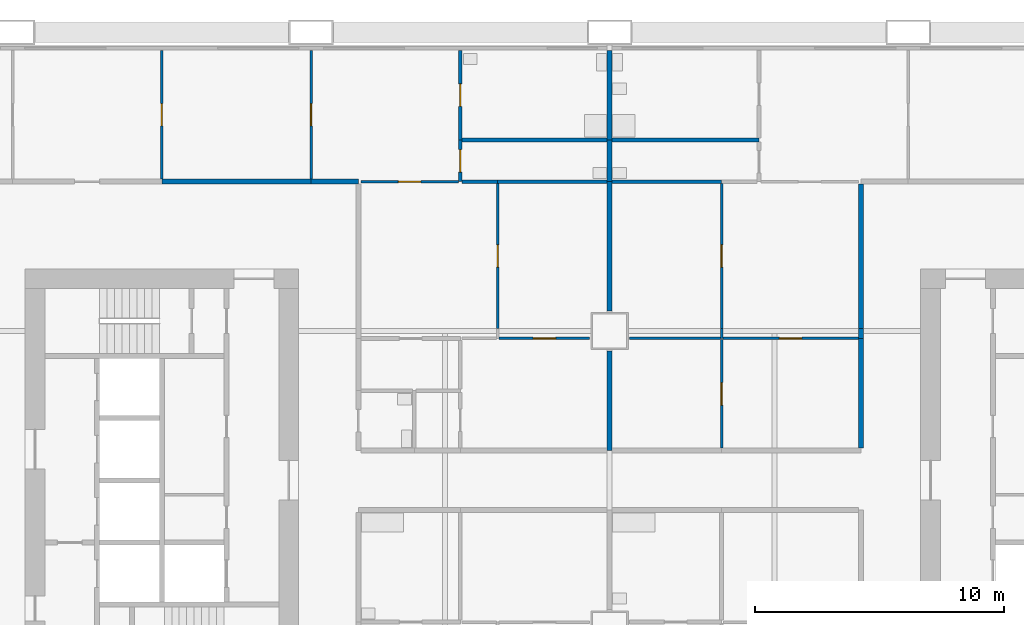
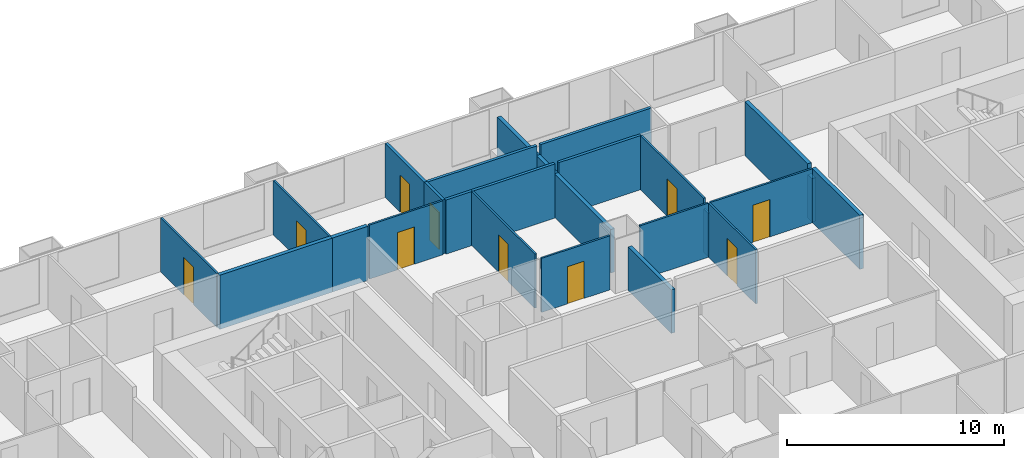
# One storey, part 8 of 13: 26 walls, 10 doors, 10 openings.
"""IFC4 building model written with IfcOpenShell, lengths in metres."""

import ifcopenshell
import ifcopenshell.guid

model = None  # the IFC model being written
_history = None  # IfcOwnerHistory: only IFC2X3 demands one
_inside = {}  # id of a spatial element -> (the spatial element, [elements in it])
_under = {}  # id of a project, library or spatial element -> (it, [spatial elements below it])
_declared = {}  # id of a project -> (the project, [libraries it declares])
_typed = {}  # id of a type object -> (the type object, [elements of that type])
_made_of = {}  # id of a material, layer set ... -> (it, [elements and type objects made of it])


def new_model(schema):
    """Start an empty IFC model of exactly this schema.

    Asked for "IFC4X3", IfcOpenShell would pick the latest addendum, in which some entities
    have other attributes; the version numbers below select the first issue.
    IFC2X3 requires an IfcOwnerHistory on every rooted entity: one is made here for all.
    """
    global model, _history
    if schema == "IFC4X3":
        model = ifcopenshell.file(schema_version=(4, 3, 0, 0))
    else:
        model = ifcopenshell.file(schema=schema)
    _inside.clear()
    _under.clear()
    _declared.clear()
    _typed.clear()
    _made_of.clear()
    _history = None
    if model.schema == "IFC2X3":
        org = make("IfcOrganization", Name="unknown")
        user = make(
            "IfcPersonAndOrganization",
            ThePerson=make("IfcPerson", FamilyName="unknown"),
            TheOrganization=org,
        )
        app = make(
            "IfcApplication",
            ApplicationDeveloper=org,
            Version="unknown",
            ApplicationFullName="unknown",
            ApplicationIdentifier="unknown",
        )
        _history = make(
            "IfcOwnerHistory",
            OwningUser=user,
            OwningApplication=app,
            ChangeAction="ADDED",
            CreationDate=0,
        )
    return model


def make(cls, **values):
    """One entity of the class cls with the attributes given. An attribute that is None is left unset."""
    return model.create_entity(
        cls, **{name: value for name, value in values.items() if value is not None}
    )


def rooted(cls, **values):
    """An entity with a GlobalId (a new one), such as an element, a storey or a relation."""
    return make(cls, GlobalId=ifcopenshell.guid.new(), OwnerHistory=_history, **values)


def si_unit(unit_type, name, prefix=None):
    """IfcSIUnit, for example si_unit("LENGTHUNIT", "METRE", prefix="MILLI")."""
    return make("IfcSIUnit", UnitType=unit_type, Prefix=prefix, Name=name)


def assignment(units):
    """IfcUnitAssignment: the units of a project."""
    return None if units is None else make("IfcUnitAssignment", Units=units)


def point(xyz):
    """IfcCartesianPoint."""
    return None if xyz is None else make("IfcCartesianPoint", Coordinates=xyz)


def direction(xyz):
    """IfcDirection."""
    return None if xyz is None else make("IfcDirection", DirectionRatios=xyz)


def frame(location, z_axis=None, x_axis=None):
    """IfcAxis2Placement3D, a coordinate frame: its origin and axes. An axis left out is left unset."""
    return make(
        "IfcAxis2Placement3D",
        Location=point(location),
        Axis=direction(z_axis),
        RefDirection=direction(x_axis),
    )


def frame_2d(location, x_axis=None):
    """IfcAxis2Placement2D, a coordinate frame in the plane: its origin and x axis."""
    return make(
        "IfcAxis2Placement2D", Location=point(location), RefDirection=direction(x_axis)
    )


def origin():
    """The frame at (0, 0, 0) with its axes left unset."""
    return frame((0.0, 0.0, 0.0))


def place(relative_to, where):
    """IfcLocalPlacement: puts the frame where relative to a parent placement (None: the world)."""
    return make(
        "IfcLocalPlacement", PlacementRelTo=relative_to, RelativePlacement=where
    )


def context(
    kind, dimensions, precision=None, world=None, true_north=None, identifier=None
):
    """IfcGeometricRepresentationContext, for example the 3D "Model" context."""
    return make(
        "IfcGeometricRepresentationContext",
        ContextIdentifier=identifier,
        ContextType=kind,
        CoordinateSpaceDimension=dimensions,
        Precision=precision,
        WorldCoordinateSystem=world,
        TrueNorth=true_north,
    )


def subcontext(parent, identifier, kind, view, scale=None):
    """IfcGeometricRepresentationSubContext, for example "Body" below "Model"."""
    return make(
        "IfcGeometricRepresentationSubContext",
        ContextIdentifier=identifier,
        ContextType=kind,
        ParentContext=parent,
        TargetScale=scale,
        TargetView=view,
    )


def project(units=None, contexts=None):
    """IfcProject with its units and contexts."""
    return rooted(
        "IfcProject",
        Name="project",
        RepresentationContexts=contexts,
        UnitsInContext=assignment(units),
    )


def spatial(cls, under=None, at=None, **own):
    """A site, building, storey or space (cls), placed at a placement, below another one or the project."""
    s = rooted(cls, ObjectPlacement=at, **own)
    if under is not None:
        _under.setdefault(under.id(), (under, []))[1].append(s)
    return s


def profile(cls, at=None, kind="AREA", **sizes):
    """A parametric profile (cls). Its sizes go by their IFC names, for example OverallWidth=200.0."""
    return make(cls, ProfileType=kind, Position=at, **sizes)


def rectangle(**sizes):
    """IfcRectangleProfileDef."""
    return profile("IfcRectangleProfileDef", **sizes)


def extrude(swept, where, along, depth):
    """IfcExtrudedAreaSolid: the profile swept, set in the frame where, extruded along a direction by depth."""
    return make(
        "IfcExtrudedAreaSolid",
        SweptArea=swept,
        Position=where,
        ExtrudedDirection=direction(along),
        Depth=depth,
    )


def shape(context_of_items, identifier, shape_type, items):
    """IfcShapeRepresentation: the items that make up one representation, for example the "Body"."""
    return make(
        "IfcShapeRepresentation",
        ContextOfItems=context_of_items,
        RepresentationIdentifier=identifier,
        RepresentationType=shape_type,
        Items=items,
    )


def material(Name=None, Category=None):
    """IfcMaterial."""
    return make("IfcMaterial", Name=Name, Category=Category)


def layer(
    of_material, thickness, ventilated=None, Name=None, Category=None, Priority=None
):
    """IfcMaterialLayer: one layer of a wall or slab, of a material (None: an air gap)."""
    return make(
        "IfcMaterialLayer",
        Material=of_material,
        LayerThickness=thickness,
        IsVentilated=ventilated,
        Name=Name,
        Category=Category,
        Priority=Priority,
    )


def layer_set(layers, Name=None):
    """IfcMaterialLayerSet."""
    return make("IfcMaterialLayerSet", MaterialLayers=layers, LayerSetName=Name)


def made_of(thing, what):
    """Note that an element or type object is made of a material, layer set ...; save() writes the relation."""
    if what is not None:
        _made_of.setdefault(what.id(), (what, []))[1].append(thing)
    return thing


def type_object(cls, material=None, **own):
    """A type object (cls), such as IfcWallType, which elements share."""
    return made_of(rooted(cls, **own), material)


def element(
    cls,
    number,
    at=None,
    inside=None,
    cuts=None,
    type_object=None,
    material=None,
    context=None,
    identifier="Body",
    shape_type=None,
    held_by="IfcProductDefinitionShape",
    body=None,
    shapes=None,
    **own,
):
    """One element of the class cls, such as IfcWall. Its Tag is "e" and its number.

    at: its placement. inside: the storey or other place that contains it. cuts: it is an
    opening in that element (IfcRelVoidsElement). A single representation is given by context,
    identifier, shape_type and body (its items); several are given by shapes. held_by: the class
    of the entity that holds the representations. save() writes the other relations.
    """
    e = rooted(cls, Tag="e%d" % number, ObjectPlacement=at, **own)
    if body is not None:
        shapes = [shape(context, identifier, shape_type, body)]
    if shapes is not None:
        e.Representation = make(held_by, Representations=shapes)
    if inside is not None:
        _inside.setdefault(inside.id(), (inside, []))[1].append(e)
    if cuts is not None:
        rooted(
            "IfcRelVoidsElement", RelatingBuildingElement=cuts, RelatedOpeningElement=e
        )
    if type_object is not None:
        _typed.setdefault(type_object.id(), (type_object, []))[1].append(e)
    return made_of(e, material)


def fill(opening, filler):
    """IfcRelFillsElement: the door or window that sits in an opening."""
    return rooted(
        "IfcRelFillsElement",
        RelatingOpeningElement=opening,
        RelatedBuildingElement=filler,
    )


def aggregate(whole, parts):
    """IfcRelAggregates: a whole, such as a stair, and the parts it consists of."""
    return rooted("IfcRelAggregates", RelatingObject=whole, RelatedObjects=parts)


def save(model, path):
    """Write the relations noted so far, then the file.

    IfcRelAggregates (storeys below a building ...), IfcRelContainedInSpatialStructure (elements
    in a storey), IfcRelDefinesByType, IfcRelAssociatesMaterial and IfcRelDeclares: one each for
    every whole, place, type object, material and project.
    """
    for whole, parts in _under.values():
        aggregate(whole, parts)
    for where, things in _inside.values():
        rooted(
            "IfcRelContainedInSpatialStructure",
            RelatedElements=things,
            RelatingStructure=where,
        )
    for kind, things in _typed.values():
        rooted("IfcRelDefinesByType", RelatedObjects=things, RelatingType=kind)
    for what, things in _made_of.values():
        rooted("IfcRelAssociatesMaterial", RelatedObjects=things, RelatingMaterial=what)
    for by, libraries in _declared.values():
        rooted("IfcRelDeclares", RelatingContext=by, RelatedDefinitions=libraries)
    model.write(path)


model = new_model("IFC4")

# Units and contexts
model_context = context("Model", 3, precision=1e-05, world=origin(), true_north=direction((0.0, 1.0)))
body_context = subcontext(model_context, "Body", "Model", "MODEL_VIEW")
ifc_project = project(units=[si_unit("LENGTHUNIT", "METRE"), si_unit("AREAUNIT", "SQUARE_METRE"), si_unit("VOLUMEUNIT", "CUBIC_METRE"), si_unit("PLANEANGLEUNIT", "RADIAN"), si_unit("MASSUNIT", "GRAM", prefix="KILO")], contexts=[model_context])

# Site, building, storey
site_placement = place(None, origin())
site = spatial("IfcSite", under=ifc_project, at=site_placement, CompositionType="ELEMENT")
building_placement = place(site_placement, origin())
building = spatial("IfcBuilding", under=site, at=building_placement, Name="Kitamizu Gate Tower and Museum", CompositionType="ELEMENT")
storey_placement = place(building_placement, frame((0.0, 0.0, 36.89990234375)))
storey = spatial("IfcBuildingStorey", under=building, at=storey_placement, Name="L07", CompositionType="ELEMENT", Elevation=36.89990234375)

# Wall, opening, door
ifc_material_1 = material(Name="Gypsum board on galvanised stud")
ifc_layer_1 = layer(ifc_material_1, 0.10009765625)
ifc_layer_set_1 = layer_set([ifc_layer_1], Name="Gypsum board on galvanised stud")
wall_type_1 = type_object("IfcWallType", Name="Partition 100 NOT RATED", PredefinedType="PARTITIONING", material=ifc_layer_set_1)
wall_1_placement = place(storey_placement, frame((18.0, 42.10009765625, 0.0), z_axis=(0.0, 0.0, 1.0), x_axis=(0.0, 1.0, 0.0)))
wall_1 = element("IfcWall", 1, at=wall_1_placement, inside=storey, type_object=wall_type_1, Name="Partition L07-148", PredefinedType="PARTITIONING", context=body_context, shape_type="SweptSolid", body=[
    extrude(rectangle(XDim=5.179931640625, YDim=0.10009765625, at=frame_2d((2.58984375, 0.0))), origin(), (0.0, 0.0, 1.0), 3.050048828125),
])
opening_1_placement = place(wall_1_placement, frame((2.139892578125, 0.0, 0.0)))
opening_1 = element("IfcOpeningElement", 2, at=opening_1_placement, cuts=wall_1, Name="Opening L07-057", PredefinedType="OPENING", context=body_context, shape_type="SweptSolid", body=[
    extrude(rectangle(XDim=0.89990234375, YDim=2.10009765625, at=frame_2d((0.449951171875, 1.050048828125))), frame((0.0, 0.06005859375, 0.0), z_axis=(0.0, -1.0, 0.0), x_axis=(1.0, 0.0, 0.0)), (0.0, 0.0, 1.0), 0.1201171875),
])
ifc_material_2 = material(Name="Timber door set", Category="wood")
door_type_1 = type_object("IfcDoorType", Name="Room door 900", OperationType="NOTDEFINED", PredefinedType="DOOR", material=ifc_material_2)
door_1_placement = place(opening_1_placement, frame((0.89990234375, 0.0, 0.0), x_axis=(-1.0, 0.0, 0.0)))
door_1 = element("IfcDoor", 3, at=door_1_placement, inside=storey, type_object=door_type_1, Name="Door L07-057", OperationType="SINGLE_SWING_RIGHT", OverallHeight=2.10009765625, OverallWidth=0.89990234375, PredefinedType="DOOR", context=body_context, shape_type="SweptSolid", body=[
    extrude(rectangle(XDim=0.89990234375, YDim=2.10009765625, at=frame_2d((0.449951171875, 1.050048828125))), frame((0.0, 0.02490234375, 0.0), z_axis=(0.0, -1.0, 0.0), x_axis=(1.0, 0.0, 0.0)), (0.0, 0.0, 1.0), 0.050048828125),
])
fill(opening_1, door_1)

wall_2_placement = place(storey_placement, frame((24.0, 42.10009765625, 0.0), z_axis=(0.0, 0.0, 1.0), x_axis=(0.0, 1.0, 0.0)))
wall_2 = element("IfcWall", 4, at=wall_2_placement, inside=storey, type_object=wall_type_1, Name="Partition L07-150", PredefinedType="PARTITIONING", context=body_context, shape_type="SweptSolid", body=[
    extrude(rectangle(XDim=5.179931640625, YDim=0.10009765625, at=frame_2d((2.58984375, 0.0))), origin(), (0.0, 0.0, 1.0), 3.050048828125),
])
opening_2_placement = place(wall_2_placement, frame((2.139892578125, 0.0, 0.0)))
opening_2 = element("IfcOpeningElement", 5, at=opening_2_placement, cuts=wall_2, Name="Opening L07-059", PredefinedType="OPENING", context=body_context, shape_type="SweptSolid", body=[
    extrude(rectangle(XDim=0.89990234375, YDim=2.10009765625, at=frame_2d((0.449951171875, 1.050048828125))), frame((0.0, 0.06005859375, 0.0), z_axis=(0.0, -1.0, 0.0), x_axis=(1.0, 0.0, 0.0)), (0.0, 0.0, 1.0), 0.1201171875),
])
door_2_placement = place(opening_2_placement, origin())
door_2 = element("IfcDoor", 6, at=door_2_placement, inside=storey, type_object=door_type_1, Name="Door L07-059", OperationType="SINGLE_SWING_LEFT", OverallHeight=2.10009765625, OverallWidth=0.89990234375, PredefinedType="DOOR", context=body_context, shape_type="SweptSolid", body=[
    extrude(rectangle(XDim=0.89990234375, YDim=2.10009765625, at=frame_2d((0.449951171875, 1.050048828125))), frame((0.0, 0.02490234375, 0.0), z_axis=(0.0, -1.0, 0.0), x_axis=(1.0, 0.0, 0.0)), (0.0, 0.0, 1.0), 0.050048828125),
])
fill(opening_2, door_2)

wall_3_placement = place(storey_placement, frame((26.0, 42.0, 0.0), z_axis=(0.0, 0.0, 1.0), x_axis=(1.0, 0.0, 0.0)))
wall_3 = element("IfcWall", 7, at=wall_3_placement, inside=storey, type_object=wall_type_1, Name="Partition L07-154", PredefinedType="PARTITIONING", context=body_context, shape_type="SweptSolid", body=[
    extrude(rectangle(XDim=3.925048828125, YDim=0.10009765625, at=frame_2d((1.96240234375, 0.0))), origin(), (0.0, 0.0, 1.0), 3.050048828125),
])
opening_3_placement = place(wall_3_placement, frame((1.512451171875, 0.0, 0.0)))
opening_3 = element("IfcOpeningElement", 8, at=opening_3_placement, cuts=wall_3, Name="Opening L07-062", PredefinedType="OPENING", context=body_context, shape_type="SweptSolid", body=[
    extrude(rectangle(XDim=0.89990234375, YDim=2.10009765625, at=frame_2d((0.449951171875, 1.050048828125))), frame((0.0, 0.06005859375, 0.0), z_axis=(0.0, -1.0, 0.0), x_axis=(1.0, 0.0, 0.0)), (0.0, 0.0, 1.0), 0.1201171875),
])
door_3_placement = place(opening_3_placement, origin())
door_3 = element("IfcDoor", 9, at=door_3_placement, inside=storey, type_object=door_type_1, Name="Door L07-062", OperationType="SINGLE_SWING_RIGHT", OverallHeight=2.10009765625, OverallWidth=0.89990234375, PredefinedType="DOOR", context=body_context, shape_type="SweptSolid", body=[
    extrude(rectangle(XDim=0.89990234375, YDim=2.10009765625, at=frame_2d((0.449951171875, 1.050048828125))), frame((0.0, 0.02490234375, 0.0), z_axis=(0.0, -1.0, 0.0), x_axis=(1.0, 0.0, 0.0)), (0.0, 0.0, 1.0), 0.050048828125),
])
fill(opening_3, door_3)

wall_4_placement = place(storey_placement, frame((31.5, 36.10009765625, 0.0), z_axis=(0.0, 0.0, 1.0), x_axis=(0.0, 1.0, 0.0)))
wall_4 = element("IfcWall", 10, at=wall_4_placement, inside=storey, type_object=wall_type_1, Name="Partition L07-162", PredefinedType="PARTITIONING", context=body_context, shape_type="SweptSolid", body=[
    extrude(rectangle(XDim=5.824951171875, YDim=0.10009765625, at=frame_2d((2.91259765625, 0.0))), origin(), (0.0, 0.0, 1.0), 3.050048828125),
])
opening_4_placement = place(wall_4_placement, frame((2.46240234375, 0.0, 0.0)))
opening_4 = element("IfcOpeningElement", 11, at=opening_4_placement, cuts=wall_4, Name="Opening L07-063", PredefinedType="OPENING", context=body_context, shape_type="SweptSolid", body=[
    extrude(rectangle(XDim=0.89990234375, YDim=2.10009765625, at=frame_2d((0.449951171875, 1.050048828125))), frame((0.0, 0.06005859375, 0.0), z_axis=(0.0, -1.0, 0.0), x_axis=(1.0, 0.0, 0.0)), (0.0, 0.0, 1.0), 0.1201171875),
])
door_4_placement = place(opening_4_placement, frame((0.89990234375, 0.0, 0.0), x_axis=(-1.0, 0.0, 0.0)))
door_4 = element("IfcDoor", 12, at=door_4_placement, inside=storey, type_object=door_type_1, Name="Door L07-063", OperationType="SINGLE_SWING_RIGHT", OverallHeight=2.10009765625, OverallWidth=0.89990234375, PredefinedType="DOOR", context=body_context, shape_type="SweptSolid", body=[
    extrude(rectangle(XDim=0.89990234375, YDim=2.10009765625, at=frame_2d((0.449951171875, 1.050048828125))), frame((0.0, 0.02490234375, 0.0), z_axis=(0.0, -1.0, 0.0), x_axis=(1.0, 0.0, 0.0)), (0.0, 0.0, 1.0), 0.050048828125),
])
fill(opening_4, door_4)

wall_5_placement = place(storey_placement, frame((31.550048828125, 35.699951171875, 0.0), z_axis=(0.0, 0.0, 1.0), x_axis=(1.0, 0.0, 0.0)))
wall_5 = element("IfcWall", 13, at=wall_5_placement, inside=storey, type_object=wall_type_1, Name="Partition L07-166", PredefinedType="PARTITIONING", context=body_context, shape_type="SweptSolid", body=[
    extrude(rectangle(XDim=3.64990234375, YDim=0.10009765625, at=frame_2d((1.824951171875, 0.0))), origin(), (0.0, 0.0, 1.0), 3.050048828125),
])
opening_5_placement = place(wall_5_placement, frame((1.375, 0.0, 0.0)))
opening_5 = element("IfcOpeningElement", 14, at=opening_5_placement, cuts=wall_5, Name="Opening L07-065", PredefinedType="OPENING", context=body_context, shape_type="SweptSolid", body=[
    extrude(rectangle(XDim=0.89990234375, YDim=2.10009765625, at=frame_2d((0.449951171875, 1.050048828125))), frame((0.0, 0.06005859375, 0.0), z_axis=(0.0, -1.0, 0.0), x_axis=(1.0, 0.0, 0.0)), (0.0, 0.0, 1.0), 0.1201171875),
])
door_5_placement = place(opening_5_placement, frame((0.89990234375, 0.0, 0.0), x_axis=(-1.0, 0.0, 0.0)))
door_5 = element("IfcDoor", 15, at=door_5_placement, inside=storey, type_object=door_type_1, Name="Door L07-065", OperationType="SINGLE_SWING_RIGHT", OverallHeight=2.10009765625, OverallWidth=0.89990234375, PredefinedType="DOOR", context=body_context, shape_type="SweptSolid", body=[
    extrude(rectangle(XDim=0.89990234375, YDim=2.10009765625, at=frame_2d((0.449951171875, 1.050048828125))), frame((0.0, 0.02490234375, 0.0), z_axis=(0.0, -1.0, 0.0), x_axis=(1.0, 0.0, 0.0)), (0.0, 0.0, 1.0), 0.050048828125),
])
fill(opening_5, door_5)

# Wall
wall_6_placement = place(storey_placement, frame((40.5, 35.699951171875, 0.0), z_axis=(0.0, 0.0, 1.0), x_axis=(0.0, 1.0, 0.0)))
element("IfcWall", 16, at=wall_6_placement, inside=storey, type_object=wall_type_1, Name="Partition L07-192", PredefinedType="PARTITIONING", context=body_context, shape_type="SweptSolid", body=[
    extrude(rectangle(XDim=0.400146484375, YDim=0.10009765625, at=frame_2d((0.2001953125, 0.0))), origin(), (0.0, 0.0, 1.0), 2.4501953125),
])

# Wall, opening, door
wall_7_placement = place(storey_placement, frame((40.5, 36.10009765625, 0.0), z_axis=(0.0, 0.0, 1.0), x_axis=(0.0, 1.0, 0.0)))
wall_7 = element("IfcWall", 17, at=wall_7_placement, inside=storey, type_object=wall_type_1, Name="Partition L07-193", PredefinedType="PARTITIONING", context=body_context, shape_type="SweptSolid", body=[
    extrude(rectangle(XDim=5.824951171875, YDim=0.10009765625, at=frame_2d((2.91259765625, 0.0))), origin(), (0.0, 0.0, 1.0), 3.050048828125),
])
opening_6_placement = place(wall_7_placement, frame((2.46240234375, 0.0, 0.0)))
opening_6 = element("IfcOpeningElement", 18, at=opening_6_placement, cuts=wall_7, Name="Opening L07-076", PredefinedType="OPENING", context=body_context, shape_type="SweptSolid", body=[
    extrude(rectangle(XDim=0.89990234375, YDim=2.10009765625, at=frame_2d((0.449951171875, 1.050048828125))), frame((0.0, 0.06005859375, 0.0), z_axis=(0.0, -1.0, 0.0), x_axis=(1.0, 0.0, 0.0)), (0.0, 0.0, 1.0), 0.1201171875),
])
door_6_placement = place(opening_6_placement, origin())
door_6 = element("IfcDoor", 19, at=door_6_placement, inside=storey, type_object=door_type_1, Name="Door L07-076", OperationType="SINGLE_SWING_LEFT", OverallHeight=2.10009765625, OverallWidth=0.89990234375, PredefinedType="DOOR", context=body_context, shape_type="SweptSolid", body=[
    extrude(rectangle(XDim=0.89990234375, YDim=2.10009765625, at=frame_2d((0.449951171875, 1.050048828125))), frame((0.0, 0.02490234375, 0.0), z_axis=(0.0, -1.0, 0.0), x_axis=(1.0, 0.0, 0.0)), (0.0, 0.0, 1.0), 0.050048828125),
])
fill(opening_6, door_6)

# Wall
wall_8_placement = place(storey_placement, frame((36.800048828125, 35.699951171875, 0.0), z_axis=(0.0, 0.0, 1.0), x_axis=(1.0, 0.0, 0.0)))
element("IfcWall", 20, at=wall_8_placement, inside=storey, type_object=wall_type_1, Name="Partition L07-194", PredefinedType="PARTITIONING", context=body_context, shape_type="SweptSolid", body=[
    extrude(rectangle(XDim=3.64990234375, YDim=0.10009765625, at=frame_2d((1.824951171875, 0.0))), origin(), (0.0, 0.0, 1.0), 3.050048828125),
])

# Wall, opening, door
wall_9_placement = place(storey_placement, frame((40.550048828125, 35.699951171875, 0.0), z_axis=(0.0, 0.0, 1.0), x_axis=(1.0, 0.0, 0.0)))
wall_9 = element("IfcWall", 21, at=wall_9_placement, inside=storey, type_object=wall_type_1, Name="Partition L07-195", PredefinedType="PARTITIONING", context=body_context, shape_type="SweptSolid", body=[
    extrude(rectangle(XDim=5.449951171875, YDim=0.10009765625, at=frame_2d((2.72509765625, 0.0))), origin(), (0.0, 0.0, 1.0), 3.050048828125),
])
opening_7_placement = place(wall_9_placement, frame((2.27490234375, 0.0, 0.0)))
opening_7 = element("IfcOpeningElement", 22, at=opening_7_placement, cuts=wall_9, Name="Opening L07-073", PredefinedType="OPENING", context=body_context, shape_type="SweptSolid", body=[
    extrude(rectangle(XDim=0.89990234375, YDim=2.10009765625, at=frame_2d((0.449951171875, 1.050048828125))), frame((0.0, 0.06005859375, 0.0), z_axis=(0.0, -1.0, 0.0), x_axis=(1.0, 0.0, 0.0)), (0.0, 0.0, 1.0), 0.1201171875),
])
door_7_placement = place(opening_7_placement, frame((0.89990234375, 0.0, 0.0), x_axis=(-1.0, 0.0, 0.0)))
door_7 = element("IfcDoor", 23, at=door_7_placement, inside=storey, type_object=door_type_1, Name="Door L07-073", OperationType="SINGLE_SWING_LEFT", OverallHeight=2.10009765625, OverallWidth=0.89990234375, PredefinedType="DOOR", context=body_context, shape_type="SweptSolid", body=[
    extrude(rectangle(XDim=0.89990234375, YDim=2.10009765625, at=frame_2d((0.449951171875, 1.050048828125))), frame((0.0, 0.02490234375, 0.0), z_axis=(0.0, -1.0, 0.0), x_axis=(1.0, 0.0, 0.0)), (0.0, 0.0, 1.0), 0.050048828125),
])
fill(opening_7, door_7)

wall_10_placement = place(storey_placement, frame((40.5, 31.300048828125, 0.0), z_axis=(0.0, 0.0, 1.0), x_axis=(0.0, 1.0, 0.0)))
wall_10 = element("IfcWall", 24, at=wall_10_placement, inside=storey, type_object=wall_type_1, Name="Partition L07-198", PredefinedType="PARTITIONING", context=body_context, shape_type="SweptSolid", body=[
    extrude(rectangle(XDim=4.349853515625, YDim=0.10009765625, at=frame_2d((2.1748046875, 0.0))), origin(), (0.0, 0.0, 1.0), 3.050048828125),
])
opening_8_placement = place(wall_10_placement, frame((1.72509765625, 0.0, 0.0)))
opening_8 = element("IfcOpeningElement", 25, at=opening_8_placement, cuts=wall_10, Name="Opening L07-077", PredefinedType="OPENING", context=body_context, shape_type="SweptSolid", body=[
    extrude(rectangle(XDim=0.89990234375, YDim=2.10009765625, at=frame_2d((0.449951171875, 1.050048828125))), frame((0.0, 0.06005859375, 0.0), z_axis=(0.0, -1.0, 0.0), x_axis=(1.0, 0.0, 0.0)), (0.0, 0.0, 1.0), 0.1201171875),
])
door_8_placement = place(opening_8_placement, origin())
door_8 = element("IfcDoor", 26, at=door_8_placement, inside=storey, type_object=door_type_1, Name="Door L07-077", OperationType="SINGLE_SWING_RIGHT", OverallHeight=2.10009765625, OverallWidth=0.89990234375, PredefinedType="DOOR", context=body_context, shape_type="SweptSolid", body=[
    extrude(rectangle(XDim=0.89990234375, YDim=2.10009765625, at=frame_2d((0.449951171875, 1.050048828125))), frame((0.0, 0.02490234375, 0.0), z_axis=(0.0, -1.0, 0.0), x_axis=(1.0, 0.0, 0.0)), (0.0, 0.0, 1.0), 0.050048828125),
])
fill(opening_8, door_8)

ifc_material_3 = material(Name="Gypsum board on galvanised stud")
ifc_layer_2 = layer(ifc_material_3, 0.14990234375)
ifc_layer_set_2 = layer_set([ifc_layer_2], Name="Gypsum board on galvanised stud")
wall_type_2 = type_object("IfcWallType", Name="Partition 150", PredefinedType="PARTITIONING", material=ifc_layer_set_2)
wall_11_placement = place(storey_placement, frame((30.0, 43.679931640625, 0.0), z_axis=(0.0, 0.0, 1.0), x_axis=(0.0, 1.0, 0.0)))
wall_11 = element("IfcWall", 27, at=wall_11_placement, inside=storey, type_object=wall_type_2, Name="Partition L07-152", PredefinedType="PARTITIONING", context=body_context, shape_type="SweptSolid", body=[
    extrude(rectangle(XDim=3.60009765625, YDim=0.14990234375, at=frame_2d((1.800048828125, 0.0))), origin(), (0.0, 0.0, 1.0), 3.050048828125),
])
opening_9_placement = place(wall_11_placement, frame((1.35009765625, 0.0, 0.0)))
opening_9 = element("IfcOpeningElement", 28, at=opening_9_placement, cuts=wall_11, Name="Opening L07-060", PredefinedType="OPENING", context=body_context, shape_type="SweptSolid", body=[
    extrude(rectangle(XDim=0.89990234375, YDim=2.10009765625, at=frame_2d((0.449951171875, 1.050048828125))), frame((0.0, 0.0849609375, 0.0), z_axis=(0.0, -1.0, 0.0), x_axis=(1.0, 0.0, 0.0)), (0.0, 0.0, 1.0), 0.169921875),
])
ifc_material_4 = material(Name="Timber door set", Category="wood")
door_type_2 = type_object("IfcDoorType", Name="Bathroom door 900", OperationType="NOTDEFINED", PredefinedType="DOOR", material=ifc_material_4)
door_9_placement = place(opening_9_placement, frame((0.89990234375, 0.0, 0.0), x_axis=(-1.0, 0.0, 0.0)))
door_9 = element("IfcDoor", 29, at=door_9_placement, inside=storey, type_object=door_type_2, Name="Bathroom door L07-060", OperationType="SINGLE_SWING_LEFT", OverallHeight=2.10009765625, OverallWidth=0.89990234375, PredefinedType="DOOR", context=body_context, shape_type="SweptSolid", body=[
    extrude(rectangle(XDim=0.89990234375, YDim=2.10009765625, at=frame_2d((0.449951171875, 1.050048828125))), frame((0.0, 0.02490234375, 0.0), z_axis=(0.0, -1.0, 0.0), x_axis=(1.0, 0.0, 0.0)), (0.0, 0.0, 1.0), 0.050048828125),
])
fill(opening_9, door_9)

wall_12_placement = place(storey_placement, frame((30.0, 42.0, 0.0), z_axis=(0.0, 0.0, 1.0), x_axis=(0.0, 1.0, 0.0)))
wall_12 = element("IfcWall", 30, at=wall_12_placement, inside=storey, type_object=wall_type_2, Name="Partition L07-153", PredefinedType="PARTITIONING", context=body_context, shape_type="SweptSolid", body=[
    extrude(rectangle(XDim=1.679931640625, YDim=0.14990234375, at=frame_2d((0.83984375, 0.0))), origin(), (0.0, 0.0, 1.0), 3.050048828125),
])
opening_10_placement = place(wall_12_placement, frame((0.389892578125, 0.0, 0.0)))
opening_10 = element("IfcOpeningElement", 31, at=opening_10_placement, cuts=wall_12, Name="Opening L07-061", PredefinedType="OPENING", context=body_context, shape_type="SweptSolid", body=[
    extrude(rectangle(XDim=0.89990234375, YDim=2.10009765625, at=frame_2d((0.449951171875, 1.050048828125))), frame((0.0, 0.0849609375, 0.0), z_axis=(0.0, -1.0, 0.0), x_axis=(1.0, 0.0, 0.0)), (0.0, 0.0, 1.0), 0.169921875),
])
door_10_placement = place(opening_10_placement, frame((0.89990234375, 0.0, 0.0), x_axis=(-1.0, 0.0, 0.0)))
door_10 = element("IfcDoor", 32, at=door_10_placement, inside=storey, type_object=door_type_2, Name="Bathroom door L07-061", OperationType="SINGLE_SWING_RIGHT", OverallHeight=2.10009765625, OverallWidth=0.89990234375, PredefinedType="DOOR", context=body_context, shape_type="SweptSolid", body=[
    extrude(rectangle(XDim=0.89990234375, YDim=2.10009765625, at=frame_2d((0.449951171875, 1.050048828125))), frame((0.0, 0.02490234375, 0.0), z_axis=(0.0, -1.0, 0.0), x_axis=(1.0, 0.0, 0.0)), (0.0, 0.0, 1.0), 0.050048828125),
])
fill(opening_10, door_10)

# Walls
wall_13_placement = place(storey_placement, frame((30.074951171875, 43.679931640625, 0.0), z_axis=(0.0, 0.0, 1.0), x_axis=(1.0, 0.0, 0.0)))
element("IfcWall", 33, at=wall_13_placement, inside=storey, type_object=wall_type_2, Name="Partition L07-156", PredefinedType="PARTITIONING", context=body_context, shape_type="SweptSolid", body=[
    extrude(rectangle(XDim=5.824951171875, YDim=0.14990234375, at=frame_2d((2.91259765625, 0.0))), origin(), (0.0, 0.0, 1.0), 3.050048828125),
])
wall_14_placement = place(storey_placement, frame((30.074951171875, 42.0, 0.0), z_axis=(0.0, 0.0, 1.0), x_axis=(1.0, 0.0, 0.0)))
element("IfcWall", 34, at=wall_14_placement, inside=storey, type_object=wall_type_2, Name="Partition L07-158", PredefinedType="PARTITIONING", context=body_context, shape_type="SweptSolid", body=[
    extrude(rectangle(XDim=1.425048828125, YDim=0.14990234375, at=frame_2d((0.71240234375, 0.0))), origin(), (0.0, 0.0, 1.0), 3.050048828125),
])
wall_15_placement = place(storey_placement, frame((31.5, 42.0, 0.0), z_axis=(0.0, 0.0, 1.0), x_axis=(1.0, 0.0, 0.0)))
element("IfcWall", 35, at=wall_15_placement, inside=storey, type_object=wall_type_2, Name="Partition L07-159", PredefinedType="PARTITIONING", context=body_context, shape_type="SweptSolid", body=[
    extrude(rectangle(XDim=4.39990234375, YDim=0.14990234375, at=frame_2d((2.199951171875, 0.0))), origin(), (0.0, 0.0, 1.0), 3.050048828125),
])
wall_16_placement = place(storey_placement, frame((36.10009765625, 43.679931640625, 0.0), z_axis=(0.0, 0.0, 1.0), x_axis=(1.0, 0.0, 0.0)))
element("IfcWall", 36, at=wall_16_placement, inside=storey, type_object=wall_type_2, Name="Partition L07-179", PredefinedType="PARTITIONING", context=body_context, shape_type="SweptSolid", body=[
    extrude(rectangle(XDim=5.89990234375, YDim=0.14990234375, at=frame_2d((2.949951171875, 0.0))), origin(), (0.0, 0.0, 1.0), 3.050048828125),
])
wall_17_placement = place(storey_placement, frame((36.10009765625, 42.0, 0.0), z_axis=(0.0, 0.0, 1.0), x_axis=(1.0, 0.0, 0.0)))
element("IfcWall", 37, at=wall_17_placement, inside=storey, type_object=wall_type_2, Name="Partition L07-182", PredefinedType="PARTITIONING", context=body_context, shape_type="SweptSolid", body=[
    extrude(rectangle(XDim=4.39990234375, YDim=0.14990234375, at=frame_2d((2.199951171875, 0.0))), origin(), (0.0, 0.0, 1.0), 3.050048828125),
])
ifc_material_5 = material(Name="Gypsum board on galvanised stud")
ifc_layer_3 = layer(ifc_material_5, 0.199951171875)
ifc_layer_set_3 = layer_set([ifc_layer_3], Name="Gypsum board on galvanised stud")
wall_type_3 = type_object("IfcWallType", Name="Partition 200", PredefinedType="PARTITIONING", material=ifc_layer_set_3)
wall_18_placement = place(storey_placement, frame((18.0, 42.0, 0.0), z_axis=(0.0, 0.0, 1.0), x_axis=(1.0, 0.0, 0.0)))
element("IfcWall", 38, at=wall_18_placement, inside=storey, type_object=wall_type_3, Name="Partition L07-151", PredefinedType="PARTITIONING", context=body_context, shape_type="SweptSolid", body=[
    extrude(rectangle(XDim=6.0, YDim=0.199951171875, at=frame_2d((3.0, 0.0))), origin(), (0.0, 0.0, 1.0), 3.050048828125),
])
wall_19_placement = place(storey_placement, frame((24.0, 42.0, 0.0), z_axis=(0.0, 0.0, 1.0), x_axis=(1.0, 0.0, 0.0)))
element("IfcWall", 39, at=wall_19_placement, inside=storey, type_object=wall_type_3, Name="Partition L07-155", PredefinedType="PARTITIONING", context=body_context, shape_type="SweptSolid", body=[
    extrude(rectangle(XDim=1.89990234375, YDim=0.199951171875, at=frame_2d((0.949951171875, 0.0))), origin(), (0.0, 0.0, 1.0), 3.050048828125),
])
wall_20_placement = place(storey_placement, frame((36.0, 43.679931640625, 0.0), z_axis=(0.0, 0.0, 1.0), x_axis=(0.0, 1.0, 0.0)))
element("IfcWall", 40, at=wall_20_placement, inside=storey, type_object=wall_type_3, Name="Partition L07-157", PredefinedType="PARTITIONING", context=body_context, shape_type="SweptSolid", body=[
    extrude(rectangle(XDim=3.60009765625, YDim=0.199951171875, at=frame_2d((1.800048828125, 0.0))), origin(), (0.0, 0.0, 1.0), 2.4501953125),
])
wall_21_placement = place(storey_placement, frame((36.0, 42.0, 0.0), z_axis=(0.0, 0.0, 1.0), x_axis=(0.0, 1.0, 0.0)))
element("IfcWall", 41, at=wall_21_placement, inside=storey, type_object=wall_type_3, Name="Partition L07-160", PredefinedType="PARTITIONING", context=body_context, shape_type="SweptSolid", body=[
    extrude(rectangle(XDim=1.679931640625, YDim=0.199951171875, at=frame_2d((0.83984375, 0.0))), origin(), (0.0, 0.0, 1.0), 2.4501953125),
])
wall_22_placement = place(storey_placement, frame((36.0, 36.800048828125, 0.0), z_axis=(0.0, 0.0, 1.0), x_axis=(0.0, 1.0, 0.0)))
element("IfcWall", 42, at=wall_22_placement, inside=storey, type_object=wall_type_3, Name="Partition L07-167", PredefinedType="PARTITIONING", context=body_context, shape_type="SweptSolid", body=[
    extrude(rectangle(XDim=5.199951171875, YDim=0.199951171875, at=frame_2d((2.60009765625, 0.0))), origin(), (0.0, 0.0, 1.0), 2.4501953125),
])
wall_23_placement = place(storey_placement, frame((36.0, 31.199951171875, 0.0), z_axis=(0.0, 0.0, 1.0), x_axis=(0.0, 1.0, 0.0)))
element("IfcWall", 43, at=wall_23_placement, inside=storey, type_object=wall_type_3, Name="Partition L07-177", PredefinedType="PARTITIONING", context=body_context, shape_type="SweptSolid", body=[
    extrude(rectangle(XDim=4.0, YDim=0.199951171875, at=frame_2d((2.0, 0.0))), origin(), (0.0, 0.0, 1.0), 2.4501953125),
])
wall_24_placement = place(storey_placement, frame((46.10009765625, 35.699951171875, 0.0), z_axis=(0.0, 0.0, 1.0), x_axis=(0.0, 1.0, 0.0)))
element("IfcWall", 44, at=wall_24_placement, inside=storey, type_object=wall_type_3, Name="Partition L07-196", PredefinedType="PARTITIONING", context=body_context, shape_type="SweptSolid", body=[
    extrude(rectangle(XDim=0.400146484375, YDim=0.199951171875, at=frame_2d((0.2001953125, 0.0))), origin(), (0.0, 0.0, 1.0), 2.4501953125),
])
wall_25_placement = place(storey_placement, frame((46.10009765625, 36.10009765625, 0.0), z_axis=(0.0, 0.0, 1.0), x_axis=(0.0, 1.0, 0.0)))
element("IfcWall", 45, at=wall_25_placement, inside=storey, type_object=wall_type_3, Name="Partition L07-197", PredefinedType="PARTITIONING", context=body_context, shape_type="SweptSolid", body=[
    extrude(rectangle(XDim=5.7998046875, YDim=0.199951171875, at=frame_2d((2.89990234375, 0.0))), origin(), (0.0, 0.0, 1.0), 3.050048828125),
])
wall_26_placement = place(storey_placement, frame((46.10009765625, 31.300048828125, 0.0), z_axis=(0.0, 0.0, 1.0), x_axis=(0.0, 1.0, 0.0)))
element("IfcWall", 46, at=wall_26_placement, inside=storey, type_object=wall_type_3, Name="Partition L07-201", PredefinedType="PARTITIONING", context=body_context, shape_type="SweptSolid", body=[
    extrude(rectangle(XDim=4.39990234375, YDim=0.199951171875, at=frame_2d((2.199951171875, 0.0))), origin(), (0.0, 0.0, 1.0), 3.050048828125),
])

save(model, "model.ifc")
